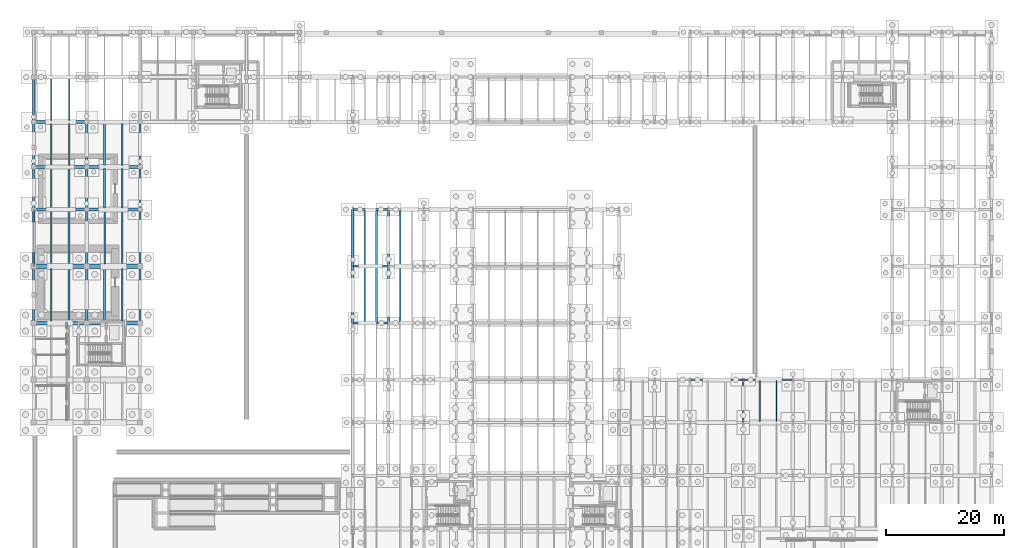
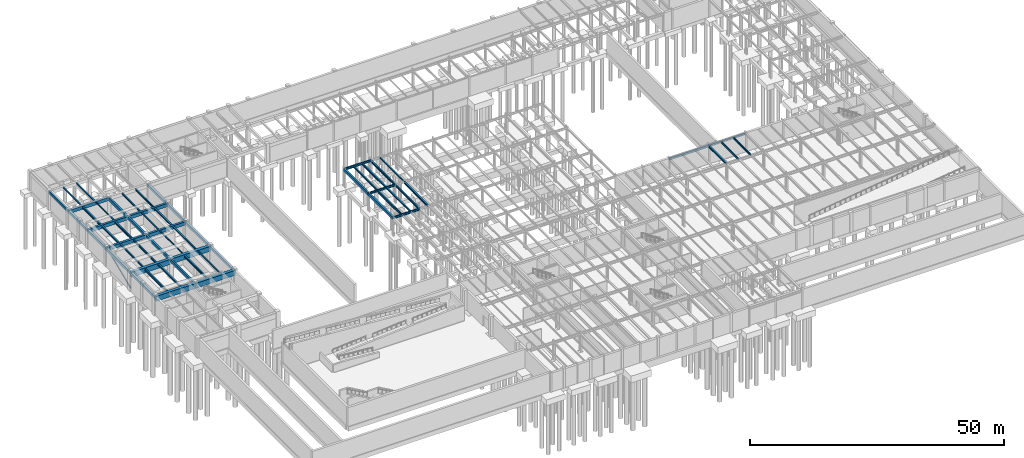
# One storey, part 32 of 59: 58 beams, 1 member.
"""IFC4 building model written with IfcOpenShell, lengths in metres."""

from ifc_helpers import new_model, si_unit, direction, frame, origin, origin_2d, place, context, subcontext, project, spatial, rectangle, hollow_circle, i_section, extrude, material, material_profile, profile_set, type_object, element, save


model = new_model("IFC4")

# Units and contexts
model_context = context("Model", 3, precision=1e-05, world=origin(), true_north=direction((0.0, 1.0)))
body_context = subcontext(model_context, "Body", "Model", "MODEL_VIEW")
ifc_project = project(units=[si_unit("LENGTHUNIT", "METRE"), si_unit("AREAUNIT", "SQUARE_METRE"), si_unit("VOLUMEUNIT", "CUBIC_METRE"), si_unit("PLANEANGLEUNIT", "RADIAN"), si_unit("MASSUNIT", "GRAM", prefix="KILO")], contexts=[model_context])

# Site, building, storey
site_placement = place(None, origin())
site = spatial("IfcSite", under=ifc_project, at=site_placement, CompositionType="ELEMENT")
building_placement = place(site_placement, origin())
building = spatial("IfcBuilding", under=site, at=building_placement, Name="Montealbar Specialist Clinic", CompositionType="ELEMENT")
storey_placement = place(building_placement, frame((0.0, 0.0, -4.800048828125)))
storey = spatial("IfcBuildingStorey", under=building, at=storey_placement, Name="B01", CompositionType="ELEMENT", Elevation=-4.800048828125)

# Beams
ifc_material_1 = material(Name="Steel S355", Category="steel")
ifc_material_profile_1 = material_profile(ifc_material_1, i_section(OverallWidth=0.300048828125, OverallDepth=0.449951171875, WebThickness=0.013916015625, FlangeThickness=0.02587890625, FilletRadius=0.027099609375, at=origin_2d()), Name="HEB 450", Category="steel")
ifc_profile_set_1 = profile_set([ifc_material_profile_1], Name="Steel S355")
beam_type_1 = type_object("IfcBeamType", Name="BM-GIRD-HEB450", PredefinedType="BEAM", material=ifc_profile_set_1)
beam_1_placement = place(storey_placement, frame((120.0, 45.0, 4.255126953125), z_axis=(0.0, 1.0, 0.0), x_axis=(-1.0, 0.0, 0.0)))
element("IfcBeam", 1, at=beam_1_placement, inside=storey, type_object=beam_type_1, Name="Beam GY-B01-1200-450-522", PredefinedType="BEAM", context=body_context, shape_type="SweptSolid", body=[
    extrude(i_section(OverallWidth=0.300048828125, OverallDepth=0.449951171875, WebThickness=0.013916015625, FlangeThickness=0.02587890625, FilletRadius=0.027099609375, at=origin_2d()), origin(), (0.0, 0.0, 1.0), 7.199951171875),
])
ifc_material_profile_2 = material_profile(ifc_material_1, i_section(OverallWidth=0.300048828125, OverallDepth=0.5, WebThickness=0.014404296875, FlangeThickness=0.028076171875, FilletRadius=0.027099609375, at=origin_2d()), Name="HEB 500", Category="steel")
ifc_profile_set_2 = profile_set([ifc_material_profile_2], Name="Steel S355")
beam_type_2 = type_object("IfcBeamType", Name="BM-GIRD-HEB500", PredefinedType="BEAM", material=ifc_profile_set_2)
for number, where, z_axis, x_axis, name in (
    (2, (54.0, 61.800048828125, 4.22998046875), (1.0, 0.0, 0.0), (0.0, 1.0, 0.0), "Beam GX-B01-540-600-618"),
    (3, (54.0, 71.39990234375, 4.22998046875), (1.0, 0.0, 0.0), (0.0, 1.0, 0.0), "Beam GX-B01-540-600-714"),
):
    element("IfcBeam", number, at=place(storey_placement, frame(where, z_axis=z_axis, x_axis=x_axis)), inside=storey, type_object=beam_type_2, Name=name, PredefinedType="BEAM", context=body_context, shape_type="SweptSolid", body=[
        extrude(i_section(OverallWidth=0.300048828125, OverallDepth=0.5, WebThickness=0.014404296875, FlangeThickness=0.028076171875, FilletRadius=0.027099609375, at=origin_2d()), origin(), (0.0, 0.0, 1.0), 6.0),
    ])
beam_2_placement = place(storey_placement, frame((60.0, 61.800048828125, 4.22998046875), z_axis=(0.0, 1.0, 0.0), x_axis=(-1.0, 0.0, 0.0)))
element("IfcBeam", 4, at=beam_2_placement, inside=storey, type_object=beam_type_2, Name="Beam GY-B01-600-618-714", PredefinedType="BEAM", context=body_context, shape_type="SweptSolid", body=[
    extrude(i_section(OverallWidth=0.300048828125, OverallDepth=0.5, WebThickness=0.014404296875, FlangeThickness=0.028076171875, FilletRadius=0.027099609375, at=origin_2d()), origin(), (0.0, 0.0, 1.0), 9.599853515625),
])
beam_3_placement = place(storey_placement, frame((60.0, 71.39990234375, 4.22998046875), z_axis=(0.0, 1.0, 0.0), x_axis=(-1.0, 0.0, 0.0)))
element("IfcBeam", 5, at=beam_3_placement, inside=storey, type_object=beam_type_2, Name="Beam GY-B01-600-714-810", PredefinedType="BEAM", context=body_context, shape_type="SweptSolid", body=[
    extrude(i_section(OverallWidth=0.300048828125, OverallDepth=0.5, WebThickness=0.014404296875, FlangeThickness=0.028076171875, FilletRadius=0.027099609375, at=origin_2d()), origin(), (0.0, 0.0, 1.0), 9.60009765625),
])
ifc_material_profile_3 = material_profile(ifc_material_1, i_section(OverallWidth=0.300048828125, OverallDepth=0.5, WebThickness=0.014404296875, FlangeThickness=0.028076171875, FilletRadius=0.027099609375, at=origin_2d()), Name="HEB 500", Category="steel")
ifc_profile_set_3 = profile_set([ifc_material_profile_3], Name="Steel S355")
beam_type_3 = type_object("IfcBeamType", Name="BM-GIRD-HEB500-EXT", PredefinedType="BEAM", material=ifc_profile_set_3)
beam_4_placement = place(storey_placement, frame((120.0, 52.199951171875, 4.22998046875), z_axis=(1.0, 0.0, 0.0), x_axis=(0.0, 1.0, 0.0)))
element("IfcBeam", 6, at=beam_4_placement, inside=storey, type_object=beam_type_3, Name="Beam GX-B01-1200-1284-522", PredefinedType="BEAM", context=body_context, shape_type="SweptSolid", body=[
    extrude(i_section(OverallWidth=0.300048828125, OverallDepth=0.5, WebThickness=0.014404296875, FlangeThickness=0.028076171875, FilletRadius=0.027099609375, at=origin_2d()), origin(), (0.0, 0.0, 1.0), 8.39990234375),
])
beam_5_placement = place(storey_placement, frame((54.0, 81.0, 4.22998046875), z_axis=(1.0, 0.0, 0.0), x_axis=(0.0, 1.0, 0.0)))
element("IfcBeam", 7, at=beam_5_placement, inside=storey, type_object=beam_type_3, Name="Beam GX-B01-540-600-810", PredefinedType="BEAM", context=body_context, shape_type="SweptSolid", body=[
    extrude(i_section(OverallWidth=0.300048828125, OverallDepth=0.5, WebThickness=0.014404296875, FlangeThickness=0.028076171875, FilletRadius=0.027099609375, at=origin_2d()), origin(), (0.0, 0.0, 1.0), 6.0),
])
ifc_material_profile_4 = material_profile(ifc_material_1, i_section(OverallWidth=0.300048828125, OverallDepth=0.550048828125, WebThickness=0.014892578125, FlangeThickness=0.029052734375, FilletRadius=0.027099609375, at=origin_2d()), Name="HEB 550", Category="steel")
ifc_profile_set_4 = profile_set([ifc_material_profile_4], Name="Steel S355")
beam_type_4 = type_object("IfcBeamType", Name="BM-GIRD-HEB550-EXT", PredefinedType="BEAM", material=ifc_profile_set_4)
beam_6_placement = place(storey_placement, frame((111.0, 52.199951171875, 4.205078125), z_axis=(1.0, 0.0, 0.0), x_axis=(0.0, 1.0, 0.0)))
element("IfcBeam", 8, at=beam_6_placement, inside=storey, type_object=beam_type_4, Name="Beam GX-B01-1110-1200-522", PredefinedType="BEAM", context=body_context, shape_type="SweptSolid", body=[
    extrude(i_section(OverallWidth=0.300048828125, OverallDepth=0.550048828125, WebThickness=0.014892578125, FlangeThickness=0.029052734375, FilletRadius=0.027099609375, at=origin_2d()), origin(), (0.0, 0.0, 1.0), 9.0),
])
ifc_material_profile_5 = material_profile(ifc_material_1, i_section(OverallWidth=0.300048828125, OverallDepth=0.35009765625, WebThickness=0.010009765625, FlangeThickness=0.017578125, FilletRadius=0.027099609375, at=origin_2d()), Name="HEA 360", Category="steel")
ifc_profile_set_5 = profile_set([ifc_material_profile_5], Name="Steel S355")
beam_type_5 = type_object("IfcBeamType", Name="BM-JST-HEA360", PredefinedType="JOIST", material=ifc_profile_set_5)
beam_7_placement = place(storey_placement, frame((6.0, 62.14990234375, 4.26513671875), z_axis=(0.0, 1.0, 0.0), x_axis=(-1.0, 0.0, 0.0)))
element("IfcBeam", 9, at=beam_7_placement, inside=storey, type_object=beam_type_5, Name="Beam JST-B01-60-622-710", PredefinedType="JOIST", context=body_context, shape_type="SweptSolid", body=[
    extrude(i_section(OverallWidth=0.300048828125, OverallDepth=0.35009765625, WebThickness=0.010009765625, FlangeThickness=0.017578125, FilletRadius=0.027099609375, at=origin_2d()), origin(), (0.0, 0.0, 1.0), 8.900146484375),
])
beam_8_placement = place(storey_placement, frame((3.0, 71.75, 4.26513671875), z_axis=(0.0, 1.0, 0.0), x_axis=(-1.0, 0.0, 0.0)))
element("IfcBeam", 10, at=beam_8_placement, inside=storey, type_object=beam_type_5, Name="Beam JST-B01-30-718-808", PredefinedType="JOIST", context=body_context, shape_type="SweptSolid", body=[
    extrude(i_section(OverallWidth=0.300048828125, OverallDepth=0.35009765625, WebThickness=0.010009765625, FlangeThickness=0.017578125, FilletRadius=0.027099609375, at=origin_2d()), origin(), (0.0, 0.0, 1.0), 9.0),
])
for number, where, z_axis, x_axis, name in (
    (11, (58.0, 61.949951171875, 4.304931640625), (0.0, 1.0, 0.0), (-1.0, 0.0, 0.0), "Beam JST-B01-580-620-712"),
    (12, (56.0, 71.550048828125, 4.304931640625), (0.0, 1.0, 0.0), (-1.0, 0.0, 0.0), "Beam JST-B01-560-716-808"),
):
    element("IfcBeam", number, at=place(storey_placement, frame(where, z_axis=z_axis, x_axis=x_axis)), inside=storey, type_object=beam_type_5, Name=name, PredefinedType="JOIST", context=body_context, shape_type="SweptSolid", body=[
        extrude(i_section(OverallWidth=0.300048828125, OverallDepth=0.35009765625, WebThickness=0.010009765625, FlangeThickness=0.017578125, FilletRadius=0.027099609375, at=origin_2d()), origin(), (0.0, 0.0, 1.0), 9.300048828125),
    ])
ifc_material_profile_6 = material_profile(ifc_material_1, i_section(OverallWidth=0.300048828125, OverallDepth=0.43994140625, WebThickness=0.011474609375, FlangeThickness=0.02099609375, FilletRadius=0.027099609375, at=origin_2d()), Name="HEA 450", Category="steel")
ifc_profile_set_6 = profile_set([ifc_material_profile_6], Name="Steel S355")
beam_type_6 = type_object("IfcBeamType", Name="BM-JST-HEA450", PredefinedType="JOIST", material=ifc_profile_set_6)
beam_9_placement = place(storey_placement, frame((6.0, 71.75, 4.219970703125), z_axis=(0.0, 1.0, 0.0), x_axis=(-1.0, 0.0, 0.0)))
element("IfcBeam", 13, at=beam_9_placement, inside=storey, type_object=beam_type_6, Name="Beam JST-B01-60-718-808", PredefinedType="JOIST", context=body_context, shape_type="SweptSolid", body=[
    extrude(i_section(OverallWidth=0.300048828125, OverallDepth=0.43994140625, WebThickness=0.011474609375, FlangeThickness=0.02099609375, FilletRadius=0.027099609375, at=origin_2d()), origin(), (0.0, 0.0, 1.0), 9.0),
])
beam_10_placement = place(storey_placement, frame((3.0, 81.25, 4.219970703125), z_axis=(0.0, 1.0, 0.0), x_axis=(-1.0, 0.0, 0.0)))
element("IfcBeam", 14, at=beam_10_placement, inside=storey, type_object=beam_type_6, Name="Beam JST-B01-30-812-880", PredefinedType="JOIST", context=body_context, shape_type="SweptSolid", body=[
    extrude(i_section(OverallWidth=0.300048828125, OverallDepth=0.43994140625, WebThickness=0.011474609375, FlangeThickness=0.02099609375, FilletRadius=0.027099609375, at=origin_2d()), origin(), (0.0, 0.0, 1.0), 6.699951171875),
])
beam_11_placement = place(storey_placement, frame((58.0, 71.550048828125, 4.260009765625), z_axis=(0.0, 1.0, 0.0), x_axis=(-1.0, 0.0, 0.0)))
element("IfcBeam", 15, at=beam_11_placement, inside=storey, type_object=beam_type_6, Name="Beam JST-B01-580-716-808", PredefinedType="JOIST", context=body_context, shape_type="SweptSolid", body=[
    extrude(i_section(OverallWidth=0.300048828125, OverallDepth=0.43994140625, WebThickness=0.011474609375, FlangeThickness=0.02099609375, FilletRadius=0.027099609375, at=origin_2d()), origin(), (0.0, 0.0, 1.0), 9.300048828125),
])
ifc_material_profile_7 = material_profile(ifc_material_1, i_section(OverallWidth=0.300048828125, OverallDepth=0.489990234375, WebThickness=0.011962890625, FlangeThickness=0.02294921875, FilletRadius=0.027099609375, at=origin_2d()), Name="HEA 500", Category="steel")
ifc_profile_set_7 = profile_set([ifc_material_profile_7], Name="Steel S355")
beam_type_7 = type_object("IfcBeamType", Name="BM-JST-HEA500", PredefinedType="JOIST", material=ifc_profile_set_7)
beam_12_placement = place(storey_placement, frame((6.0, 81.25, 4.195068359375), z_axis=(0.0, 1.0, 0.0), x_axis=(-1.0, 0.0, 0.0)))
element("IfcBeam", 16, at=beam_12_placement, inside=storey, type_object=beam_type_7, Name="Beam JST-B01-60-812-880", PredefinedType="JOIST", context=body_context, shape_type="SweptSolid", body=[
    extrude(i_section(OverallWidth=0.300048828125, OverallDepth=0.489990234375, WebThickness=0.011962890625, FlangeThickness=0.02294921875, FilletRadius=0.027099609375, at=origin_2d()), origin(), (0.0, 0.0, 1.0), 6.699951171875),
])
beam_13_placement = place(storey_placement, frame((3.0, 88.449951171875, 4.195068359375), z_axis=(0.0, 1.0, 0.0), x_axis=(-1.0, 0.0, 0.0)))
element("IfcBeam", 17, at=beam_13_placement, inside=storey, type_object=beam_type_7, Name="Beam JST-B01-30-884-956", PredefinedType="JOIST", context=body_context, shape_type="SweptSolid", body=[
    extrude(i_section(OverallWidth=0.300048828125, OverallDepth=0.489990234375, WebThickness=0.011962890625, FlangeThickness=0.02294921875, FilletRadius=0.027099609375, at=origin_2d()), origin(), (0.0, 0.0, 1.0), 7.10009765625),
])
beam_14_placement = place(storey_placement, frame((12.0, 62.14990234375, 4.195068359375), z_axis=(0.0, 1.0, 0.0), x_axis=(-1.0, 0.0, 0.0)))
element("IfcBeam", 18, at=beam_14_placement, inside=storey, type_object=beam_type_7, Name="Beam JST-B01-120-622-710", PredefinedType="JOIST", context=body_context, shape_type="SweptSolid", body=[
    extrude(i_section(OverallWidth=0.300048828125, OverallDepth=0.489990234375, WebThickness=0.011962890625, FlangeThickness=0.02294921875, FilletRadius=0.027099609375, at=origin_2d()), origin(), (0.0, 0.0, 1.0), 8.900146484375),
])
beam_15_placement = place(storey_placement, frame((62.0, 61.949951171875, 4.235107421875), z_axis=(0.0, 1.0, 0.0), x_axis=(-1.0, 0.0, 0.0)))
element("IfcBeam", 19, at=beam_15_placement, inside=storey, type_object=beam_type_7, Name="Beam JST-B01-620-620-712", PredefinedType="JOIST", context=body_context, shape_type="SweptSolid", body=[
    extrude(i_section(OverallWidth=0.300048828125, OverallDepth=0.489990234375, WebThickness=0.011962890625, FlangeThickness=0.02294921875, FilletRadius=0.027099609375, at=origin_2d()), origin(), (0.0, 0.0, 1.0), 9.300048828125),
])
ifc_material_profile_8 = material_profile(ifc_material_1, i_section(OverallWidth=0.239990234375, OverallDepth=0.239990234375, WebThickness=0.010009765625, FlangeThickness=0.01708984375, FilletRadius=0.02099609375, at=origin_2d()), Name="HEB 240", Category="steel")
ifc_profile_set_8 = profile_set([ifc_material_profile_8], Name="Steel S355")
beam_type_8 = type_object("IfcBeamType", Name="BM-JST-HEB240", PredefinedType="JOIST", material=ifc_profile_set_8)
beam_16_placement = place(storey_placement, frame((6.0, 88.449951171875, 4.320068359375), z_axis=(0.0, 1.0, 0.0), x_axis=(-1.0, 0.0, 0.0)))
element("IfcBeam", 20, at=beam_16_placement, inside=storey, type_object=beam_type_8, Name="Beam JST-B01-60-884-956", PredefinedType="JOIST", context=body_context, shape_type="SweptSolid", body=[
    extrude(i_section(OverallWidth=0.239990234375, OverallDepth=0.239990234375, WebThickness=0.010009765625, FlangeThickness=0.01708984375, FilletRadius=0.02099609375, at=origin_2d()), origin(), (0.0, 0.0, 1.0), 7.10009765625),
])
beam_17_placement = place(storey_placement, frame((3.0, 96.050048828125, 4.320068359375), z_axis=(0.0, 1.0, 0.0), x_axis=(-1.0, 0.0, 0.0)))
element("IfcBeam", 21, at=beam_17_placement, inside=storey, type_object=beam_type_8, Name="Beam JST-B01-30-960-1032", PredefinedType="JOIST", context=body_context, shape_type="SweptSolid", body=[
    extrude(i_section(OverallWidth=0.239990234375, OverallDepth=0.239990234375, WebThickness=0.010009765625, FlangeThickness=0.01708984375, FilletRadius=0.02099609375, at=origin_2d()), origin(), (0.0, 0.0, 1.0), 7.099853515625),
])
beam_18_placement = place(storey_placement, frame((15.0, 62.14990234375, 4.320068359375), z_axis=(0.0, 1.0, 0.0), x_axis=(-1.0, 0.0, 0.0)))
element("IfcBeam", 22, at=beam_18_placement, inside=storey, type_object=beam_type_8, Name="Beam JST-B01-150-622-710", PredefinedType="JOIST", context=body_context, shape_type="SweptSolid", body=[
    extrude(i_section(OverallWidth=0.239990234375, OverallDepth=0.239990234375, WebThickness=0.010009765625, FlangeThickness=0.01708984375, FilletRadius=0.02099609375, at=origin_2d()), origin(), (0.0, 0.0, 1.0), 8.900146484375),
])
beam_19_placement = place(storey_placement, frame((12.0, 71.75, 4.320068359375), z_axis=(0.0, 1.0, 0.0), x_axis=(-1.0, 0.0, 0.0)))
element("IfcBeam", 23, at=beam_19_placement, inside=storey, type_object=beam_type_8, Name="Beam JST-B01-120-718-808", PredefinedType="JOIST", context=body_context, shape_type="SweptSolid", body=[
    extrude(i_section(OverallWidth=0.239990234375, OverallDepth=0.239990234375, WebThickness=0.010009765625, FlangeThickness=0.01708984375, FilletRadius=0.02099609375, at=origin_2d()), origin(), (0.0, 0.0, 1.0), 9.0),
])
beam_20_placement = place(storey_placement, frame((62.0, 71.550048828125, 4.360107421875), z_axis=(0.0, 1.0, 0.0), x_axis=(-1.0, 0.0, 0.0)))
element("IfcBeam", 24, at=beam_20_placement, inside=storey, type_object=beam_type_8, Name="Beam JST-B01-620-716-808", PredefinedType="JOIST", context=body_context, shape_type="SweptSolid", body=[
    extrude(i_section(OverallWidth=0.239990234375, OverallDepth=0.239990234375, WebThickness=0.010009765625, FlangeThickness=0.01708984375, FilletRadius=0.02099609375, at=origin_2d()), origin(), (0.0, 0.0, 1.0), 9.300048828125),
])
ifc_material_profile_9 = material_profile(ifc_material_1, i_section(OverallWidth=0.280029296875, OverallDepth=0.280029296875, WebThickness=0.010498046875, FlangeThickness=0.01806640625, FilletRadius=0.02392578125, at=origin_2d()), Name="HEB 280", Category="steel")
ifc_profile_set_9 = profile_set([ifc_material_profile_9], Name="Steel S355")
beam_type_9 = type_object("IfcBeamType", Name="BM-JST-HEB280", PredefinedType="JOIST", material=ifc_profile_set_9)
beam_21_placement = place(storey_placement, frame((6.0, 96.050048828125, 4.300048828125), z_axis=(0.0, 1.0, 0.0), x_axis=(-1.0, 0.0, 0.0)))
element("IfcBeam", 25, at=beam_21_placement, inside=storey, type_object=beam_type_9, Name="Beam JST-B01-60-960-1032", PredefinedType="JOIST", context=body_context, shape_type="SweptSolid", body=[
    extrude(i_section(OverallWidth=0.280029296875, OverallDepth=0.280029296875, WebThickness=0.010498046875, FlangeThickness=0.01806640625, FilletRadius=0.02392578125, at=origin_2d()), origin(), (0.0, 0.0, 1.0), 7.099853515625),
])
beam_22_placement = place(storey_placement, frame((15.0, 71.75, 4.300048828125), z_axis=(0.0, 1.0, 0.0), x_axis=(-1.0, 0.0, 0.0)))
element("IfcBeam", 26, at=beam_22_placement, inside=storey, type_object=beam_type_9, Name="Beam JST-B01-150-718-808", PredefinedType="JOIST", context=body_context, shape_type="SweptSolid", body=[
    extrude(i_section(OverallWidth=0.280029296875, OverallDepth=0.280029296875, WebThickness=0.010498046875, FlangeThickness=0.01806640625, FilletRadius=0.02392578125, at=origin_2d()), origin(), (0.0, 0.0, 1.0), 9.0),
])
beam_23_placement = place(storey_placement, frame((12.0, 81.25, 4.300048828125), z_axis=(0.0, 1.0, 0.0), x_axis=(-1.0, 0.0, 0.0)))
element("IfcBeam", 27, at=beam_23_placement, inside=storey, type_object=beam_type_9, Name="Beam JST-B01-120-812-880", PredefinedType="JOIST", context=body_context, shape_type="SweptSolid", body=[
    extrude(i_section(OverallWidth=0.280029296875, OverallDepth=0.280029296875, WebThickness=0.010498046875, FlangeThickness=0.01806640625, FilletRadius=0.02392578125, at=origin_2d()), origin(), (0.0, 0.0, 1.0), 6.699951171875),
])
ifc_material_profile_10 = material_profile(ifc_material_1, i_section(OverallWidth=0.300048828125, OverallDepth=0.320068359375, WebThickness=0.011474609375, FlangeThickness=0.0205078125, FilletRadius=0.027099609375, at=origin_2d()), Name="HEB 320", Category="steel")
ifc_profile_set_10 = profile_set([ifc_material_profile_10], Name="Steel S355")
beam_type_10 = type_object("IfcBeamType", Name="BM-JST-HEB320", PredefinedType="JOIST", material=ifc_profile_set_10)
beam_24_placement = place(storey_placement, frame((15.0, 81.25, 4.280029296875), z_axis=(0.0, 1.0, 0.0), x_axis=(-1.0, 0.0, 0.0)))
element("IfcBeam", 28, at=beam_24_placement, inside=storey, type_object=beam_type_10, Name="Beam JST-B01-150-812-880", PredefinedType="JOIST", context=body_context, shape_type="SweptSolid", body=[
    extrude(i_section(OverallWidth=0.300048828125, OverallDepth=0.320068359375, WebThickness=0.011474609375, FlangeThickness=0.0205078125, FilletRadius=0.027099609375, at=origin_2d()), origin(), (0.0, 0.0, 1.0), 6.699951171875),
])
beam_25_placement = place(storey_placement, frame((12.0, 88.449951171875, 4.280029296875), z_axis=(0.0, 1.0, 0.0), x_axis=(-1.0, 0.0, 0.0)))
element("IfcBeam", 29, at=beam_25_placement, inside=storey, type_object=beam_type_10, Name="Beam JST-B01-120-884-956", PredefinedType="JOIST", context=body_context, shape_type="SweptSolid", body=[
    extrude(i_section(OverallWidth=0.300048828125, OverallDepth=0.320068359375, WebThickness=0.011474609375, FlangeThickness=0.0205078125, FilletRadius=0.027099609375, at=origin_2d()), origin(), (0.0, 0.0, 1.0), 7.10009765625),
])
ifc_material_profile_11 = material_profile(ifc_material_1, i_section(OverallWidth=0.219970703125, OverallDepth=0.60009765625, WebThickness=0.011962890625, FlangeThickness=0.01904296875, FilletRadius=0.02392578125, at=origin_2d()), Name="IPE 600", Category="steel")
ifc_profile_set_11 = profile_set([ifc_material_profile_11], Name="Steel S355")
beam_type_11 = type_object("IfcBeamType", Name="BM-JST-IPE600", PredefinedType="JOIST", material=ifc_profile_set_11)
beam_26_placement = place(storey_placement, frame((3.0, 62.14990234375, 4.14013671875), z_axis=(0.0, 1.0, 0.0), x_axis=(-1.0, 0.0, 0.0)))
element("IfcBeam", 30, at=beam_26_placement, inside=storey, type_object=beam_type_11, Name="Beam JST-B01-30-622-710", PredefinedType="JOIST", context=body_context, shape_type="SweptSolid", body=[
    extrude(i_section(OverallWidth=0.219970703125, OverallDepth=0.60009765625, WebThickness=0.011962890625, FlangeThickness=0.01904296875, FilletRadius=0.02392578125, at=origin_2d()), origin(), (0.0, 0.0, 1.0), 8.900146484375),
])
beam_27_placement = place(storey_placement, frame((56.0, 61.949951171875, 4.179931640625), z_axis=(0.0, 1.0, 0.0), x_axis=(-1.0, 0.0, 0.0)))
element("IfcBeam", 31, at=beam_27_placement, inside=storey, type_object=beam_type_11, Name="Beam JST-B01-560-620-712", PredefinedType="JOIST", context=body_context, shape_type="SweptSolid", body=[
    extrude(i_section(OverallWidth=0.219970703125, OverallDepth=0.60009765625, WebThickness=0.011962890625, FlangeThickness=0.01904296875, FilletRadius=0.02392578125, at=origin_2d()), origin(), (0.0, 0.0, 1.0), 9.300048828125),
])
ifc_material_2 = material(Name="Concrete C35/45", Category="concrete")
ifc_material_profile_12 = material_profile(ifc_material_2, rectangle(XDim=0.39990234375, YDim=0.64990234375, at=origin_2d()), Name="RC 400x650", Category="concrete")
ifc_profile_set_12 = profile_set([ifc_material_profile_12], Name="Concrete C35/45")
beam_type_12 = type_object("IfcBeamType", Name="BM-RC-400x650", PredefinedType="BEAM", material=ifc_profile_set_12)
beam_28_placement = place(storey_placement, frame((9.0, 61.800048828125, 4.114990234375), z_axis=(0.0, 1.0, 0.0), x_axis=(-1.0, 0.0, 0.0)))
element("IfcBeam", 32, at=beam_28_placement, inside=storey, type_object=beam_type_12, Name="Beam GY-B01-90-618-714", PredefinedType="BEAM", context=body_context, shape_type="SweptSolid", body=[
    extrude(rectangle(XDim=0.39990234375, YDim=0.64990234375, at=origin_2d()), origin(), (0.0, 0.0, 1.0), 9.599853515625),
])
beam_29_placement = place(storey_placement, frame((9.0, 71.39990234375, 4.114990234375), z_axis=(0.0, 1.0, 0.0), x_axis=(-1.0, 0.0, 0.0)))
element("IfcBeam", 33, at=beam_29_placement, inside=storey, type_object=beam_type_12, Name="Beam GY-B01-90-714-810", PredefinedType="BEAM", context=body_context, shape_type="SweptSolid", body=[
    extrude(rectangle(XDim=0.39990234375, YDim=0.64990234375, at=origin_2d()), origin(), (0.0, 0.0, 1.0), 9.60009765625),
])
beam_30_placement = place(storey_placement, frame((9.0, 81.0, 4.114990234375), z_axis=(0.0, 1.0, 0.0), x_axis=(-1.0, 0.0, 0.0)))
element("IfcBeam", 34, at=beam_30_placement, inside=storey, type_object=beam_type_12, Name="Beam GY-B01-90-810-882", PredefinedType="BEAM", context=body_context, shape_type="SweptSolid", body=[
    extrude(rectangle(XDim=0.39990234375, YDim=0.64990234375, at=origin_2d()), origin(), (0.0, 0.0, 1.0), 7.199951171875),
])
beam_31_placement = place(storey_placement, frame((9.0, 88.199951171875, 4.114990234375), z_axis=(0.0, 1.0, 0.0), x_axis=(-1.0, 0.0, 0.0)))
element("IfcBeam", 35, at=beam_31_placement, inside=storey, type_object=beam_type_12, Name="Beam GY-B01-90-882-958", PredefinedType="BEAM", context=body_context, shape_type="SweptSolid", body=[
    extrude(rectangle(XDim=0.39990234375, YDim=0.64990234375, at=origin_2d()), origin(), (0.0, 0.0, 1.0), 7.60009765625),
])
ifc_material_profile_13 = material_profile(ifc_material_2, rectangle(XDim=0.39990234375, YDim=0.64990234375, at=origin_2d()), Name="RC 400x650", Category="concrete")
ifc_profile_set_13 = profile_set([ifc_material_profile_13], Name="Concrete C35/45")
beam_type_13 = type_object("IfcBeamType", Name="BM-RC-400x650-EXT", PredefinedType="BEAM", material=ifc_profile_set_13)
beam_32_placement = place(storey_placement, frame((0.0, 61.800048828125, 4.114990234375), z_axis=(0.0, 1.0, 0.0), x_axis=(-1.0, 0.0, 0.0)))
element("IfcBeam", 36, at=beam_32_placement, inside=storey, type_object=beam_type_13, Name="Beam GY-B01-0-618-714", PredefinedType="BEAM", context=body_context, shape_type="SweptSolid", body=[
    extrude(rectangle(XDim=0.39990234375, YDim=0.64990234375, at=origin_2d()), origin(), (0.0, 0.0, 1.0), 9.599853515625),
])
beam_33_placement = place(storey_placement, frame((0.0, 71.39990234375, 4.114990234375), z_axis=(0.0, 1.0, 0.0), x_axis=(-1.0, 0.0, 0.0)))
element("IfcBeam", 37, at=beam_33_placement, inside=storey, type_object=beam_type_13, Name="Beam GY-B01-0-714-810", PredefinedType="BEAM", context=body_context, shape_type="SweptSolid", body=[
    extrude(rectangle(XDim=0.39990234375, YDim=0.64990234375, at=origin_2d()), origin(), (0.0, 0.0, 1.0), 9.60009765625),
])
beam_34_placement = place(storey_placement, frame((0.0, 81.0, 4.114990234375), z_axis=(0.0, 1.0, 0.0), x_axis=(-1.0, 0.0, 0.0)))
element("IfcBeam", 38, at=beam_34_placement, inside=storey, type_object=beam_type_13, Name="Beam GY-B01-0-810-882", PredefinedType="BEAM", context=body_context, shape_type="SweptSolid", body=[
    extrude(rectangle(XDim=0.39990234375, YDim=0.64990234375, at=origin_2d()), origin(), (0.0, 0.0, 1.0), 7.199951171875),
])
beam_35_placement = place(storey_placement, frame((0.0, 88.199951171875, 4.114990234375), z_axis=(0.0, 1.0, 0.0), x_axis=(-1.0, 0.0, 0.0)))
element("IfcBeam", 39, at=beam_35_placement, inside=storey, type_object=beam_type_13, Name="Beam GY-B01-0-882-958", PredefinedType="BEAM", context=body_context, shape_type="SweptSolid", body=[
    extrude(rectangle(XDim=0.39990234375, YDim=0.64990234375, at=origin_2d()), origin(), (0.0, 0.0, 1.0), 7.60009765625),
])
beam_36_placement = place(storey_placement, frame((0.0, 95.800048828125, 4.114990234375), z_axis=(0.0, 1.0, 0.0), x_axis=(-1.0, 0.0, 0.0)))
element("IfcBeam", 40, at=beam_36_placement, inside=storey, type_object=beam_type_13, Name="Beam GY-B01-0-958-1034", PredefinedType="BEAM", context=body_context, shape_type="SweptSolid", body=[
    extrude(rectangle(XDim=0.39990234375, YDim=0.64990234375, at=origin_2d()), origin(), (0.0, 0.0, 1.0), 7.599853515625),
])
beam_37_placement = place(storey_placement, frame((18.0, 61.800048828125, 4.114990234375), z_axis=(0.0, 1.0, 0.0), x_axis=(-1.0, 0.0, 0.0)))
element("IfcBeam", 41, at=beam_37_placement, inside=storey, type_object=beam_type_13, Name="Beam GY-B01-180-618-714", PredefinedType="BEAM", context=body_context, shape_type="SweptSolid", body=[
    extrude(rectangle(XDim=0.39990234375, YDim=0.64990234375, at=origin_2d()), origin(), (0.0, 0.0, 1.0), 9.599853515625),
])
beam_38_placement = place(storey_placement, frame((18.0, 71.39990234375, 4.114990234375), z_axis=(0.0, 1.0, 0.0), x_axis=(-1.0, 0.0, 0.0)))
element("IfcBeam", 42, at=beam_38_placement, inside=storey, type_object=beam_type_13, Name="Beam GY-B01-180-714-810", PredefinedType="BEAM", context=body_context, shape_type="SweptSolid", body=[
    extrude(rectangle(XDim=0.39990234375, YDim=0.64990234375, at=origin_2d()), origin(), (0.0, 0.0, 1.0), 9.60009765625),
])
beam_39_placement = place(storey_placement, frame((18.0, 81.0, 4.114990234375), z_axis=(0.0, 1.0, 0.0), x_axis=(-1.0, 0.0, 0.0)))
element("IfcBeam", 43, at=beam_39_placement, inside=storey, type_object=beam_type_13, Name="Beam GY-B01-180-810-882", PredefinedType="BEAM", context=body_context, shape_type="SweptSolid", body=[
    extrude(rectangle(XDim=0.39990234375, YDim=0.64990234375, at=origin_2d()), origin(), (0.0, 0.0, 1.0), 7.199951171875),
])
beam_40_placement = place(storey_placement, frame((18.0, 88.199951171875, 4.114990234375), z_axis=(0.0, 1.0, 0.0), x_axis=(-1.0, 0.0, 0.0)))
element("IfcBeam", 44, at=beam_40_placement, inside=storey, type_object=beam_type_13, Name="Beam GY-B01-180-882-958", PredefinedType="BEAM", context=body_context, shape_type="SweptSolid", body=[
    extrude(rectangle(XDim=0.39990234375, YDim=0.64990234375, at=origin_2d()), origin(), (0.0, 0.0, 1.0), 7.60009765625),
])
beam_41_placement = place(storey_placement, frame((54.0, 61.800048828125, 4.155029296875), z_axis=(0.0, 1.0, 0.0), x_axis=(-1.0, 0.0, 0.0)))
element("IfcBeam", 45, at=beam_41_placement, inside=storey, type_object=beam_type_13, Name="Beam GY-B01-540-618-714", PredefinedType="BEAM", context=body_context, shape_type="SweptSolid", body=[
    extrude(rectangle(XDim=0.39990234375, YDim=0.64990234375, at=origin_2d()), origin(), (0.0, 0.0, 1.0), 9.599853515625),
])
beam_42_placement = place(storey_placement, frame((54.0, 71.39990234375, 4.155029296875), z_axis=(0.0, 1.0, 0.0), x_axis=(-1.0, 0.0, 0.0)))
element("IfcBeam", 46, at=beam_42_placement, inside=storey, type_object=beam_type_13, Name="Beam GY-B01-540-714-810", PredefinedType="BEAM", context=body_context, shape_type="SweptSolid", body=[
    extrude(rectangle(XDim=0.39990234375, YDim=0.64990234375, at=origin_2d()), origin(), (0.0, 0.0, 1.0), 9.60009765625),
])
ifc_material_profile_14 = material_profile(ifc_material_2, rectangle(XDim=0.5, YDim=0.800048828125, at=origin_2d()), Name="RC 500x800", Category="concrete")
ifc_profile_set_14 = profile_set([ifc_material_profile_14], Name="Concrete C35/45")
beam_type_14 = type_object("IfcBeamType", Name="BM-RC-500x800", PredefinedType="BEAM", material=ifc_profile_set_14)
for number, where, z_axis, x_axis, name in (
    (47, (0.0, 81.0, 4.0400390625), (1.0, 0.0, 0.0), (0.0, 1.0, 0.0), "Beam GX-B01-0-90-810"),
    (48, (9.0, 81.0, 4.0400390625), (1.0, 0.0, 0.0), (0.0, 1.0, 0.0), "Beam GX-B01-90-180-810"),
    (49, (0.0, 88.199951171875, 4.0400390625), (1.0, 0.0, 0.0), (0.0, 1.0, 0.0), "Beam GX-B01-0-90-882"),
    (50, (9.0, 88.199951171875, 4.0400390625), (1.0, 0.0, 0.0), (0.0, 1.0, 0.0), "Beam GX-B01-90-180-882"),
    (51, (0.0, 95.800048828125, 4.0400390625), (1.0, 0.0, 0.0), (0.0, 1.0, 0.0), "Beam GX-B01-0-90-958"),
):
    element("IfcBeam", number, at=place(storey_placement, frame(where, z_axis=z_axis, x_axis=x_axis)), inside=storey, type_object=beam_type_14, Name=name, PredefinedType="BEAM", context=body_context, shape_type="SweptSolid", body=[
        extrude(rectangle(XDim=0.5, YDim=0.800048828125, at=origin_2d()), origin(), (0.0, 0.0, 1.0), 9.0),
    ])
ifc_material_profile_15 = material_profile(ifc_material_2, rectangle(XDim=0.699951171875, YDim=1.199951171875, at=origin_2d()), Name="RC 700x1200", Category="concrete")
ifc_profile_set_15 = profile_set([ifc_material_profile_15], Name="Concrete C35/45")
beam_type_15 = type_object("IfcBeamType", Name="BM-RC-700x1200", PredefinedType="BEAM", material=ifc_profile_set_15)
for number, where, z_axis, x_axis, name in (
    (52, (0.0, 61.800048828125, 3.840087890625), (1.0, 0.0, 0.0), (0.0, 1.0, 0.0), "Beam GX-B01-0-90-618"),
    (53, (9.0, 61.800048828125, 3.840087890625), (1.0, 0.0, 0.0), (0.0, 1.0, 0.0), "Beam GX-B01-90-180-618"),
    (54, (0.0, 71.39990234375, 3.840087890625), (1.0, 0.0, 0.0), (0.0, 1.0, 0.0), "Beam GX-B01-0-90-714"),
    (55, (9.0, 71.39990234375, 3.840087890625), (1.0, 0.0, 0.0), (0.0, 1.0, 0.0), "Beam GX-B01-90-180-714"),
):
    element("IfcBeam", number, at=place(storey_placement, frame(where, z_axis=z_axis, x_axis=x_axis)), inside=storey, type_object=beam_type_15, Name=name, PredefinedType="BEAM", context=body_context, shape_type="SweptSolid", body=[
        extrude(rectangle(XDim=0.699951171875, YDim=1.199951171875, at=origin_2d()), origin(), (0.0, 0.0, 1.0), 9.0),
    ])
ifc_material_profile_16 = material_profile(ifc_material_1, i_section(OverallWidth=0.179931640625, OverallDepth=0.39990234375, WebThickness=0.008544921875, FlangeThickness=0.013427734375, FilletRadius=0.02099609375, at=origin_2d()), Name="IPE 400", Category="steel")
ifc_profile_set_16 = profile_set([ifc_material_profile_16], Name="Steel S355")
beam_type_16 = type_object("IfcBeamType", Name="BM-SEC-IPE400", PredefinedType="BEAM", material=ifc_profile_set_16)
beam_43_placement = place(storey_placement, frame((125.60009765625, 45.14990234375, 4.280029296875), z_axis=(0.0, 1.0, 0.0), x_axis=(-1.0, 0.0, 0.0)))
element("IfcBeam", 56, at=beam_43_placement, inside=storey, type_object=beam_type_16, Name="Beam JST-B01-1256-452-520", PredefinedType="BEAM", context=body_context, shape_type="SweptSolid", body=[
    extrude(i_section(OverallWidth=0.179931640625, OverallDepth=0.39990234375, WebThickness=0.008544921875, FlangeThickness=0.013427734375, FilletRadius=0.02099609375, at=origin_2d()), origin(), (0.0, 0.0, 1.0), 6.900146484375),
])
ifc_material_profile_17 = material_profile(ifc_material_1, i_section(OverallWidth=0.18994140625, OverallDepth=0.449951171875, WebThickness=0.009521484375, FlangeThickness=0.0146484375, FilletRadius=0.02099609375, at=origin_2d()), Name="IPE 450", Category="steel")
ifc_profile_set_17 = profile_set([ifc_material_profile_17], Name="Steel S355")
beam_type_17 = type_object("IfcBeamType", Name="BM-SEC-IPE450", PredefinedType="BEAM", material=ifc_profile_set_17)
beam_44_placement = place(storey_placement, frame((15.0, 88.449951171875, 4.215087890625), z_axis=(0.0, 1.0, 0.0), x_axis=(-1.0, 0.0, 0.0)))
element("IfcBeam", 57, at=beam_44_placement, inside=storey, type_object=beam_type_17, Name="Beam JST-B01-150-884-956", PredefinedType="BEAM", context=body_context, shape_type="SweptSolid", body=[
    extrude(i_section(OverallWidth=0.18994140625, OverallDepth=0.449951171875, WebThickness=0.009521484375, FlangeThickness=0.0146484375, FilletRadius=0.02099609375, at=origin_2d()), origin(), (0.0, 0.0, 1.0), 7.10009765625),
])
beam_45_placement = place(storey_placement, frame((122.800048828125, 45.14990234375, 4.255126953125), z_axis=(0.0, 1.0, 0.0), x_axis=(-1.0, 0.0, 0.0)))
element("IfcBeam", 58, at=beam_45_placement, inside=storey, type_object=beam_type_17, Name="Beam JST-B01-1228-452-520", PredefinedType="BEAM", context=body_context, shape_type="SweptSolid", body=[
    extrude(i_section(OverallWidth=0.18994140625, OverallDepth=0.449951171875, WebThickness=0.009521484375, FlangeThickness=0.0146484375, FilletRadius=0.02099609375, at=origin_2d()), origin(), (0.0, 0.0, 1.0), 6.900146484375),
])

# Member
ifc_material_profile_18 = material_profile(ifc_material_1, hollow_circle(Radius=0.136474609375, WallThickness=0.012451171875, at=origin_2d()), Name="CHS 273.0x12.5", Category="steel")
ifc_profile_set_18 = profile_set([ifc_material_profile_18], Name="Steel S355")
member_type = type_object("IfcMemberType", Name="MB-LAT-BRACE-A-EXT", PredefinedType="BRACE", material=ifc_profile_set_18)
member_placement = place(storey_placement, frame((0.0, 71.39990234375, 0.380126953125), z_axis=(0.0, 0.920683278022, 0.39031051942), x_axis=(-1.0, 0.0, 0.0)))
element("IfcMember", 59, at=member_placement, inside=storey, type_object=member_type, Name="Lateral frame brace LB-01", PredefinedType="BRACE", context=body_context, shape_type="SweptSolid", body=[
    extrude(hollow_circle(Radius=0.136474609375, WallThickness=0.012451171875, at=origin_2d()), origin(), (0.0, 0.0, 1.0), 10.42724609375),
])

save(model, "model.ifc")
